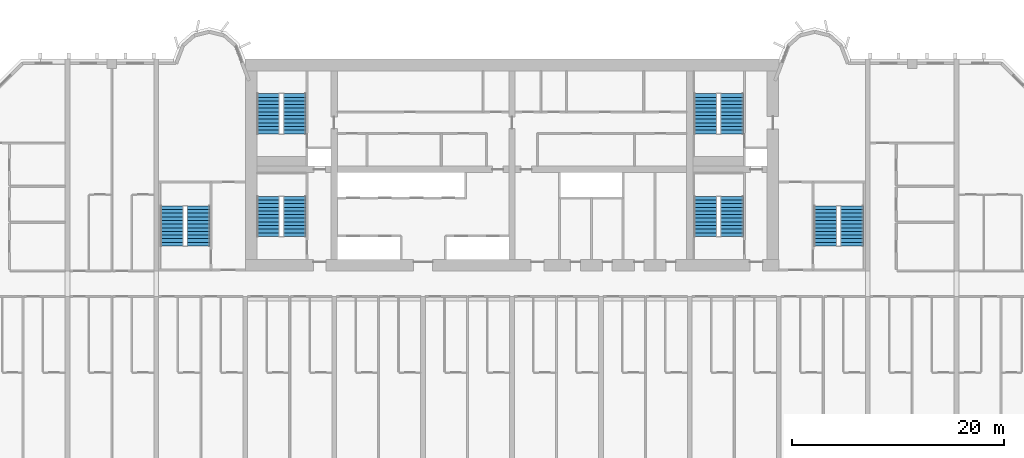
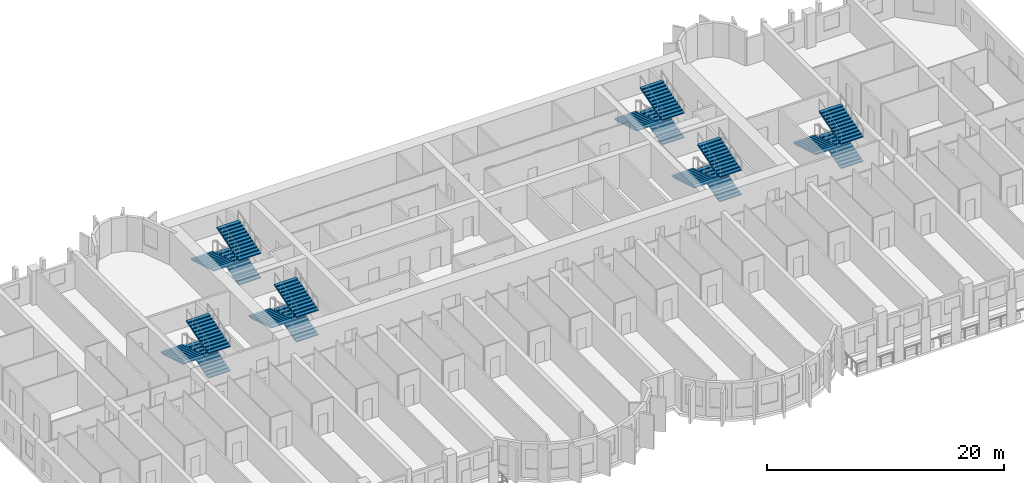
# One storey, part 12 of 15: 18 stair flights, 6 elements without a shape of their own.
"""IFC4 building model written with IfcOpenShell, lengths in metres."""

from ifc_helpers import new_model, si_unit, direction, frame, origin, place, context, subcontext, project, spatial, polyline, outline, extrude, source, transform, mapped, material, type_object, element, aggregate, save


model = new_model("IFC4")

# Units and contexts
model_context = context("Model", 3, precision=1e-05, world=origin(), true_north=direction((0.0, 1.0)))
body_context = subcontext(model_context, "Body", "Model", "MODEL_VIEW")
ifc_project = project(units=[si_unit("LENGTHUNIT", "METRE"), si_unit("AREAUNIT", "SQUARE_METRE"), si_unit("VOLUMEUNIT", "CUBIC_METRE"), si_unit("PLANEANGLEUNIT", "RADIAN"), si_unit("MASSUNIT", "GRAM", prefix="KILO")], contexts=[model_context])

# Site, building, storey
site_placement = place(None, origin())
site = spatial("IfcSite", under=ifc_project, at=site_placement, CompositionType="ELEMENT")
building_placement = place(site_placement, origin())
building = spatial("IfcBuilding", under=site, at=building_placement, Name="Vanashikhar Sky Hotel", CompositionType="ELEMENT")
storey_placement = place(building_placement, frame((0.0, 0.0, 35.39990234375)))
storey = spatial("IfcBuildingStorey", under=building, at=storey_placement, Name="L07", CompositionType="ELEMENT", Elevation=35.39990234375)

# Stair, stair flights
ifc_material = material(Name="Concrete M40", Category="concrete")
stair_type = type_object("IfcStairType", Name="Exit stair 2150", PredefinedType="DOUBLE_RETURN_STAIR", material=ifc_material)
stair_1_placement = place(storey_placement, origin())
stair_1 = element("IfcStair", 1, at=stair_1_placement, inside=storey, type_object=stair_type, Name="L07 Exit stair 1", PredefinedType="DOUBLE_RETURN_STAIR")
stair_flight_type = type_object("IfcStairFlightType", Name="Stair flight 2150", PredefinedType="STRAIGHT", material=ifc_material)
shared_shape = source(origin(), body_context, "Body", "SweptSolid", [
    extrude(outline(polyline([(0.0, 0.0), (0.0, 0.10546875), (0.345458984375, 0.10546875), (0.345458984375, 0.211181640625), (0.69091796875, 0.211181640625), (0.69091796875, 0.316650390625), (1.036376953125, 0.316650390625), (1.036376953125, 0.422119140625), (1.3818359375, 0.422119140625), (1.3818359375, 0.52783203125), (1.727294921875, 0.52783203125), (1.727294921875, 0.63330078125), (2.07275390625, 0.63330078125), (2.07275390625, 0.73876953125), (2.418212890625, 0.73876953125), (2.418212890625, 0.844482421875), (2.763671875, 0.844482421875), (2.763671875, 0.949951171875), (3.109130859375, 0.949951171875), (3.109130859375, 1.0556640625), (3.45458984375, 1.0556640625), (3.45458984375, 1.1611328125), (3.800048828125, 1.1611328125), (3.800048828125, 1.2666015625), (3.800048828125, 1.035400390625), (0.4111328125, 0.0), (0.0, 0.0)])), frame((0.0, 1.074951171875, 0.0), z_axis=(0.0, -1.0, 0.0), x_axis=(1.0, 0.0, 0.0)), (0.0, 0.0, 1.0), 2.14990234375),
])
stair_flight_1_placement = place(storey_placement, frame((29.875, 25.25, 0.0), z_axis=(0.0, 0.0, 1.0), x_axis=(0.0, 1.0, 0.0)))
stair_flight_1 = element("IfcStairFlight", 2, at=stair_flight_1_placement, type_object=stair_flight_type, Name="ST-C1 flight 1", NumberOfRisers=12, NumberOfTreads=11, PredefinedType="STRAIGHT", RiserHeight=0.105555556, TreadLength=0.345454545, context=body_context, shape_type="MappedRepresentation", body=[
    mapped(shared_shape, transform((0.0, 0.0, 0.0), scale=1.0)),
])
stair_flight_2_placement = place(storey_placement, frame((27.375, 29.050048828125, 1.266845703125), z_axis=(0.0, 0.0, 1.0), x_axis=(0.0, -1.0, 0.0)))
stair_flight_2 = element("IfcStairFlight", 3, at=stair_flight_2_placement, type_object=stair_flight_type, Name="ST-C1 flight 2", NumberOfRisers=12, NumberOfTreads=11, PredefinedType="STRAIGHT", RiserHeight=0.105555556, TreadLength=0.345454545, context=body_context, shape_type="MappedRepresentation", body=[
    mapped(shared_shape, transform((0.0, 0.0, 0.0), scale=1.0)),
])
stair_flight_3_placement = place(storey_placement, frame((29.875, 25.25, 2.533447265625), z_axis=(0.0, 0.0, 1.0), x_axis=(0.0, 1.0, 0.0)))
stair_flight_3 = element("IfcStairFlight", 4, at=stair_flight_3_placement, type_object=stair_flight_type, Name="ST-C1 flight 3", NumberOfRisers=12, NumberOfTreads=11, PredefinedType="STRAIGHT", RiserHeight=0.105555556, TreadLength=0.345454545, context=body_context, shape_type="MappedRepresentation", body=[
    mapped(shared_shape, transform((0.0, 0.0, 0.0), scale=1.0)),
])
aggregate(stair_1, [stair_flight_1, stair_flight_2, stair_flight_3])

stair_2_placement = place(storey_placement, origin())
stair_2 = element("IfcStair", 5, at=stair_2_placement, inside=storey, type_object=stair_type, Name="L07 Exit stair 2", PredefinedType="DOUBLE_RETURN_STAIR")
stair_flight_4_placement = place(storey_placement, frame((71.175048828125, 25.25, 0.0), z_axis=(0.0, 0.0, 1.0), x_axis=(0.0, 1.0, 0.0)))
stair_flight_4 = element("IfcStairFlight", 6, at=stair_flight_4_placement, type_object=stair_flight_type, Name="ST-C2 flight 1", NumberOfRisers=12, NumberOfTreads=11, PredefinedType="STRAIGHT", RiserHeight=0.105555556, TreadLength=0.345454545, context=body_context, shape_type="MappedRepresentation", body=[
    mapped(shared_shape, transform((0.0, 0.0, 0.0), scale=1.0)),
])
stair_flight_5_placement = place(storey_placement, frame((68.675048828125, 29.050048828125, 1.266845703125), z_axis=(0.0, 0.0, 1.0), x_axis=(0.0, -1.0, 0.0)))
stair_flight_5 = element("IfcStairFlight", 7, at=stair_flight_5_placement, type_object=stair_flight_type, Name="ST-C2 flight 2", NumberOfRisers=12, NumberOfTreads=11, PredefinedType="STRAIGHT", RiserHeight=0.105555556, TreadLength=0.345454545, context=body_context, shape_type="MappedRepresentation", body=[
    mapped(shared_shape, transform((0.0, 0.0, 0.0), scale=1.0)),
])
stair_flight_6_placement = place(storey_placement, frame((71.175048828125, 25.25, 2.533447265625), z_axis=(0.0, 0.0, 1.0), x_axis=(0.0, 1.0, 0.0)))
stair_flight_6 = element("IfcStairFlight", 8, at=stair_flight_6_placement, type_object=stair_flight_type, Name="ST-C2 flight 3", NumberOfRisers=12, NumberOfTreads=11, PredefinedType="STRAIGHT", RiserHeight=0.105555556, TreadLength=0.345454545, context=body_context, shape_type="MappedRepresentation", body=[
    mapped(shared_shape, transform((0.0, 0.0, 0.0), scale=1.0)),
])
aggregate(stair_2, [stair_flight_4, stair_flight_5, stair_flight_6])

stair_3_placement = place(storey_placement, origin())
stair_3 = element("IfcStair", 9, at=stair_3_placement, inside=storey, type_object=stair_type, Name="L07 Exit stair 3", PredefinedType="DOUBLE_RETURN_STAIR")
stair_flight_7_placement = place(storey_placement, frame((20.77490234375, 24.35009765625, 0.0), z_axis=(0.0, 0.0, 1.0), x_axis=(0.0, 1.0, 0.0)))
stair_flight_7 = element("IfcStairFlight", 10, at=stair_flight_7_placement, type_object=stair_flight_type, Name="ST-W flight 1", NumberOfRisers=12, NumberOfTreads=11, PredefinedType="STRAIGHT", RiserHeight=0.105555556, TreadLength=0.345454545, context=body_context, shape_type="MappedRepresentation", body=[
    mapped(shared_shape, transform((0.0, 0.0, 0.0), scale=1.0)),
])
stair_flight_8_placement = place(storey_placement, frame((18.27490234375, 28.14990234375, 1.266845703125), z_axis=(0.0, 0.0, 1.0), x_axis=(0.0, -1.0, 0.0)))
stair_flight_8 = element("IfcStairFlight", 11, at=stair_flight_8_placement, type_object=stair_flight_type, Name="ST-W flight 2", NumberOfRisers=12, NumberOfTreads=11, PredefinedType="STRAIGHT", RiserHeight=0.105555556, TreadLength=0.345454545, context=body_context, shape_type="MappedRepresentation", body=[
    mapped(shared_shape, transform((0.0, 0.0, 0.0), scale=1.0)),
])
stair_flight_9_placement = place(storey_placement, frame((20.77490234375, 24.35009765625, 2.533447265625), z_axis=(0.0, 0.0, 1.0), x_axis=(0.0, 1.0, 0.0)))
stair_flight_9 = element("IfcStairFlight", 12, at=stair_flight_9_placement, type_object=stair_flight_type, Name="ST-W flight 3", NumberOfRisers=12, NumberOfTreads=11, PredefinedType="STRAIGHT", RiserHeight=0.105555556, TreadLength=0.345454545, context=body_context, shape_type="MappedRepresentation", body=[
    mapped(shared_shape, transform((0.0, 0.0, 0.0), scale=1.0)),
])
aggregate(stair_3, [stair_flight_7, stair_flight_8, stair_flight_9])

stair_4_placement = place(storey_placement, origin())
stair_4 = element("IfcStair", 13, at=stair_4_placement, inside=storey, type_object=stair_type, Name="L07 Exit stair 4", PredefinedType="DOUBLE_RETURN_STAIR")
stair_flight_10_placement = place(storey_placement, frame((82.52490234375, 24.35009765625, 0.0), z_axis=(0.0, 0.0, 1.0), x_axis=(0.0, 1.0, 0.0)))
stair_flight_10 = element("IfcStairFlight", 14, at=stair_flight_10_placement, type_object=stair_flight_type, Name="ST-E flight 1", NumberOfRisers=12, NumberOfTreads=11, PredefinedType="STRAIGHT", RiserHeight=0.105555556, TreadLength=0.345454545, context=body_context, shape_type="MappedRepresentation", body=[
    mapped(shared_shape, transform((0.0, 0.0, 0.0), scale=1.0)),
])
stair_flight_11_placement = place(storey_placement, frame((80.02490234375, 28.14990234375, 1.266845703125), z_axis=(0.0, 0.0, 1.0), x_axis=(0.0, -1.0, 0.0)))
stair_flight_11 = element("IfcStairFlight", 15, at=stair_flight_11_placement, type_object=stair_flight_type, Name="ST-E flight 2", NumberOfRisers=12, NumberOfTreads=11, PredefinedType="STRAIGHT", RiserHeight=0.105555556, TreadLength=0.345454545, context=body_context, shape_type="MappedRepresentation", body=[
    mapped(shared_shape, transform((0.0, 0.0, 0.0), scale=1.0)),
])
stair_flight_12_placement = place(storey_placement, frame((82.52490234375, 24.35009765625, 2.533447265625), z_axis=(0.0, 0.0, 1.0), x_axis=(0.0, 1.0, 0.0)))
stair_flight_12 = element("IfcStairFlight", 16, at=stair_flight_12_placement, type_object=stair_flight_type, Name="ST-E flight 3", NumberOfRisers=12, NumberOfTreads=11, PredefinedType="STRAIGHT", RiserHeight=0.105555556, TreadLength=0.345454545, context=body_context, shape_type="MappedRepresentation", body=[
    mapped(shared_shape, transform((0.0, 0.0, 0.0), scale=1.0)),
])
aggregate(stair_4, [stair_flight_10, stair_flight_11, stair_flight_12])

stair_5_placement = place(storey_placement, origin())
stair_5 = element("IfcStair", 17, at=stair_5_placement, inside=storey, type_object=stair_type, Name="L07 Exit stair 5", PredefinedType="DOUBLE_RETURN_STAIR")
stair_flight_13_placement = place(storey_placement, frame((29.875, 34.949951171875, 0.0), z_axis=(0.0, 0.0, 1.0), x_axis=(0.0, 1.0, 0.0)))
stair_flight_13 = element("IfcStairFlight", 18, at=stair_flight_13_placement, type_object=stair_flight_type, Name="ST-C3 flight 1", NumberOfRisers=12, NumberOfTreads=11, PredefinedType="STRAIGHT", RiserHeight=0.105555556, TreadLength=0.345454545, context=body_context, shape_type="MappedRepresentation", body=[
    mapped(shared_shape, transform((0.0, 0.0, 0.0), scale=1.0)),
])
stair_flight_14_placement = place(storey_placement, frame((27.375, 38.75, 1.266845703125), z_axis=(0.0, 0.0, 1.0), x_axis=(0.0, -1.0, 0.0)))
stair_flight_14 = element("IfcStairFlight", 19, at=stair_flight_14_placement, type_object=stair_flight_type, Name="ST-C3 flight 2", NumberOfRisers=12, NumberOfTreads=11, PredefinedType="STRAIGHT", RiserHeight=0.105555556, TreadLength=0.345454545, context=body_context, shape_type="MappedRepresentation", body=[
    mapped(shared_shape, transform((0.0, 0.0, 0.0), scale=1.0)),
])
stair_flight_15_placement = place(storey_placement, frame((29.875, 34.949951171875, 2.533447265625), z_axis=(0.0, 0.0, 1.0), x_axis=(0.0, 1.0, 0.0)))
stair_flight_15 = element("IfcStairFlight", 20, at=stair_flight_15_placement, type_object=stair_flight_type, Name="ST-C3 flight 3", NumberOfRisers=12, NumberOfTreads=11, PredefinedType="STRAIGHT", RiserHeight=0.105555556, TreadLength=0.345454545, context=body_context, shape_type="MappedRepresentation", body=[
    mapped(shared_shape, transform((0.0, 0.0, 0.0), scale=1.0)),
])
aggregate(stair_5, [stair_flight_13, stair_flight_14, stair_flight_15])

stair_6_placement = place(storey_placement, origin())
stair_6 = element("IfcStair", 21, at=stair_6_placement, inside=storey, type_object=stair_type, Name="L07 Exit stair 6", PredefinedType="DOUBLE_RETURN_STAIR")
stair_flight_16_placement = place(storey_placement, frame((71.175048828125, 34.949951171875, 0.0), z_axis=(0.0, 0.0, 1.0), x_axis=(0.0, 1.0, 0.0)))
stair_flight_16 = element("IfcStairFlight", 22, at=stair_flight_16_placement, type_object=stair_flight_type, Name="ST-C4 flight 1", NumberOfRisers=12, NumberOfTreads=11, PredefinedType="STRAIGHT", RiserHeight=0.105555556, TreadLength=0.345454545, context=body_context, shape_type="MappedRepresentation", body=[
    mapped(shared_shape, transform((0.0, 0.0, 0.0), scale=1.0)),
])
stair_flight_17_placement = place(storey_placement, frame((68.675048828125, 38.75, 1.266845703125), z_axis=(0.0, 0.0, 1.0), x_axis=(0.0, -1.0, 0.0)))
stair_flight_17 = element("IfcStairFlight", 23, at=stair_flight_17_placement, type_object=stair_flight_type, Name="ST-C4 flight 2", NumberOfRisers=12, NumberOfTreads=11, PredefinedType="STRAIGHT", RiserHeight=0.105555556, TreadLength=0.345454545, context=body_context, shape_type="MappedRepresentation", body=[
    mapped(shared_shape, transform((0.0, 0.0, 0.0), scale=1.0)),
])
stair_flight_18_placement = place(storey_placement, frame((71.175048828125, 34.949951171875, 2.533447265625), z_axis=(0.0, 0.0, 1.0), x_axis=(0.0, 1.0, 0.0)))
stair_flight_18 = element("IfcStairFlight", 24, at=stair_flight_18_placement, type_object=stair_flight_type, Name="ST-C4 flight 3", NumberOfRisers=12, NumberOfTreads=11, PredefinedType="STRAIGHT", RiserHeight=0.105555556, TreadLength=0.345454545, context=body_context, shape_type="MappedRepresentation", body=[
    mapped(shared_shape, transform((0.0, 0.0, 0.0), scale=1.0)),
])
aggregate(stair_6, [stair_flight_16, stair_flight_17, stair_flight_18])

save(model, "model.ifc")
